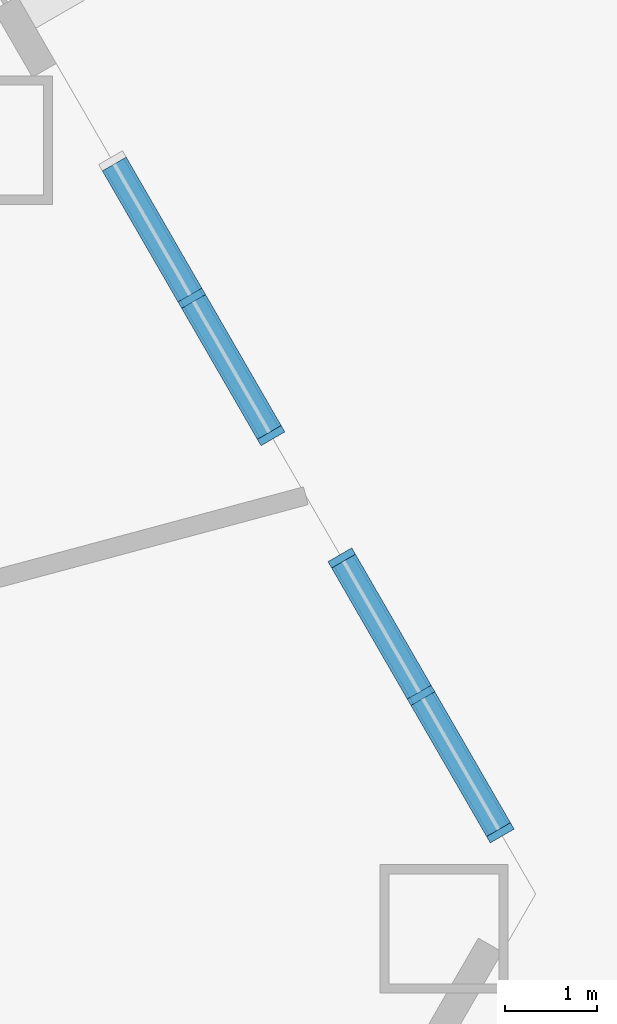
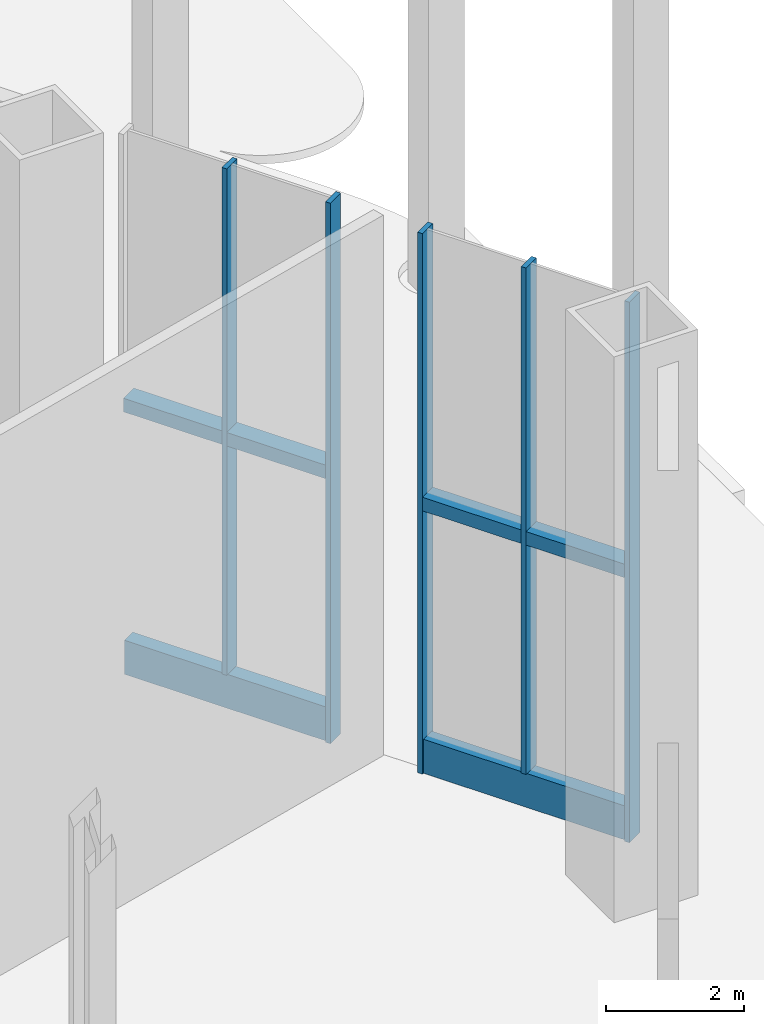
# One storey, part 5 of 18: 11 members, 2 elements without a shape of their own.
"""IFC4 building model written with IfcOpenShell, lengths in metres."""

from ifc_helpers import new_model, si_unit, direction, frame, origin, origin_2d, place, context, subcontext, project, spatial, rectangle, extrude, material, layer, layer_set, material_profile, profile_set, type_object, element, aggregate, save


model = new_model("IFC4")

# Units and contexts
model_context = context("Model", 3, precision=1e-05, world=origin(), true_north=direction((0.0, 1.0)))
body_context = subcontext(model_context, "Body", "Model", "MODEL_VIEW")
ifc_project = project(units=[si_unit("LENGTHUNIT", "METRE"), si_unit("AREAUNIT", "SQUARE_METRE"), si_unit("VOLUMEUNIT", "CUBIC_METRE"), si_unit("PLANEANGLEUNIT", "RADIAN"), si_unit("MASSUNIT", "GRAM", prefix="KILO")], contexts=[model_context])

# Site, building, storey
site_placement = place(None, origin())
site = spatial("IfcSite", under=ifc_project, at=site_placement, CompositionType="ELEMENT")
building_placement = place(site_placement, origin())
building = spatial("IfcBuilding", under=site, at=building_placement, Name="Cormorant Prow Tower", CompositionType="ELEMENT")
storey_placement = place(building_placement, origin())
storey = spatial("IfcBuildingStorey", under=building, at=storey_placement, Name="L00", CompositionType="ELEMENT", Elevation=0.0)

# Curtain wall, members
ifc_material_1 = material(Name="Aluminium 6063-T6", Category="aluminium")
ifc_layer = layer(ifc_material_1, 0.300048828125)
ifc_layer_set = layer_set([ifc_layer], Name="Aluminium 6063-T6")
curtain_wall_type = type_object("IfcCurtainWallType", Name="Concourse unitised curtain wall 300", PredefinedType="NOTDEFINED", material=ifc_layer_set)
curtain_wall_1_placement = place(storey_placement, origin())
curtain_wall_1 = element("IfcCurtainWall", 1, at=curtain_wall_1_placement, inside=storey, type_object=curtain_wall_type, Name="Concourse curtain wall ENE00", PredefinedType="NOTDEFINED")
ifc_material_2 = material(Name="Aluminium 6063-T6", Category="aluminium")
ifc_material_profile_1 = material_profile(ifc_material_2, rectangle(XDim=0.300048828125, YDim=0.239990234375, at=origin_2d()), Name="Concourse intermediate transom 300x240")
ifc_profile_set_1 = profile_set([ifc_material_profile_1], Name="Aluminium 6063-T6")
member_type_1 = type_object("IfcMemberType", Name="Concourse intermediate transom 300x240", PredefinedType="USERDEFINED", material=ifc_profile_set_1)
member_1_placement = place(storey_placement, frame((31.594970703125, -9.69091796875, 4.77490234375), z_axis=(-0.499974350878, 0.866040211805, 0.0), x_axis=(-0.866040211805, -0.499974350878, 0.0)))
member_1 = element("IfcMember", 2, at=member_1_placement, type_object=member_type_1, Name="Concourse intermediate transom ENE00", ObjectType="TRANSOM", PredefinedType="USERDEFINED", context=body_context, shape_type="SweptSolid", body=[
    extrude(rectangle(XDim=0.300048828125, YDim=0.239990234375, at=origin_2d()), origin(), (0.0, 0.0, 1.0), 1.64990234375),
])
member_2_placement = place(storey_placement, frame((30.72998046875, -8.192626953125, 4.77490234375), z_axis=(-0.499974350878, 0.866040211805, 0.0), x_axis=(-0.866040211805, -0.499974350878, 0.0)))
member_2 = element("IfcMember", 3, at=member_2_placement, type_object=member_type_1, Name="Concourse intermediate transom ENE00", ObjectType="TRANSOM", PredefinedType="USERDEFINED", context=body_context, shape_type="SweptSolid", body=[
    extrude(rectangle(XDim=0.300048828125, YDim=0.239990234375, at=origin_2d()), origin(), (0.0, 0.0, 1.0), 1.64990234375),
])

curtain_wall_2_placement = place(storey_placement, origin())
curtain_wall_2 = element("IfcCurtainWall", 4, at=curtain_wall_2_placement, inside=storey, type_object=curtain_wall_type, Name="Concourse curtain wall ENE01", PredefinedType="NOTDEFINED")
member_3_placement = place(storey_placement, frame((29.094970703125, -5.360595703125, 4.77490234375), z_axis=(-0.499974350878, 0.866040211805, 0.0), x_axis=(-0.866040211805, -0.499974350878, 0.0)))
member_3 = element("IfcMember", 5, at=member_3_placement, type_object=member_type_1, Name="Concourse intermediate transom ENE01", ObjectType="TRANSOM", PredefinedType="USERDEFINED", context=body_context, shape_type="SweptSolid", body=[
    extrude(rectangle(XDim=0.300048828125, YDim=0.239990234375, at=origin_2d()), origin(), (0.0, 0.0, 1.0), 1.64990234375),
])
member_4_placement = place(storey_placement, frame((28.22998046875, -3.862548828125, 4.77490234375), z_axis=(-0.499974350878, 0.866040211805, 0.0), x_axis=(-0.866040211805, -0.499974350878, 0.0)))
member_4 = element("IfcMember", 6, at=member_4_placement, type_object=member_type_1, Name="Concourse intermediate transom ENE01", ObjectType="TRANSOM", PredefinedType="USERDEFINED", context=body_context, shape_type="SweptSolid", body=[
    extrude(rectangle(XDim=0.300048828125, YDim=0.239990234375, at=origin_2d()), origin(), (0.0, 0.0, 1.0), 1.64990234375),
])

# Member
ifc_material_3 = material(Name="Aluminium 6063-T6", Category="aluminium")
ifc_material_profile_2 = material_profile(ifc_material_3, rectangle(XDim=0.300048828125, YDim=0.080078125, at=origin_2d()), Name="Concourse mullion 80x300")
ifc_profile_set_2 = profile_set([ifc_material_profile_2], Name="Aluminium 6063-T6")
member_type_2 = type_object("IfcMemberType", Name="Concourse mullion 80x300", PredefinedType="MULLION", material=ifc_profile_set_2)
member_5_placement = place(storey_placement, frame((31.614990234375, -9.7255859375, 0.0), z_axis=(0.0, 0.0, 1.0), x_axis=(-0.866025402842, -0.500000001632, 0.0)))
member_5 = element("IfcMember", 7, at=member_5_placement, type_object=member_type_2, Name="Concourse mullion ENE00", PredefinedType="MULLION", context=body_context, shape_type="SweptSolid", body=[
    extrude(rectangle(XDim=0.300048828125, YDim=0.080078125, at=origin_2d()), origin(), (0.0, 0.0, 1.0), 9.550048828125),
])

member_6_placement = place(storey_placement, frame((30.75, -8.227294921875, 0.60009765625), z_axis=(0.0, 0.0, 1.0), x_axis=(-0.866025402842, -0.500000001632, 0.0)))
member_6 = element("IfcMember", 8, at=member_6_placement, type_object=member_type_2, Name="Concourse mullion ENE00", PredefinedType="MULLION", context=body_context, shape_type="SweptSolid", body=[
    extrude(rectangle(XDim=0.300048828125, YDim=0.080078125, at=origin_2d()), origin(), (0.0, 0.0, 1.0), 8.949951171875),
])

member_7_placement = place(storey_placement, frame((29.885009765625, -6.72900390625, 0.0), z_axis=(0.0, 0.0, 1.0), x_axis=(-0.866025402842, -0.500000001632, 0.0)))
member_7 = element("IfcMember", 9, at=member_7_placement, type_object=member_type_2, Name="Concourse mullion ENE00", PredefinedType="MULLION", context=body_context, shape_type="SweptSolid", body=[
    extrude(rectangle(XDim=0.300048828125, YDim=0.080078125, at=origin_2d()), origin(), (0.0, 0.0, 1.0), 9.550048828125),
])

member_8_placement = place(storey_placement, frame((29.114990234375, -5.395263671875, 0.0), z_axis=(0.0, 0.0, 1.0), x_axis=(-0.866025402842, -0.500000001632, 0.0)))
member_8 = element("IfcMember", 10, at=member_8_placement, type_object=member_type_2, Name="Concourse mullion ENE01", PredefinedType="MULLION", context=body_context, shape_type="SweptSolid", body=[
    extrude(rectangle(XDim=0.300048828125, YDim=0.080078125, at=origin_2d()), origin(), (0.0, 0.0, 1.0), 9.550048828125),
])

member_9_placement = place(storey_placement, frame((28.25, -3.897216796875, 0.60009765625), z_axis=(0.0, 0.0, 1.0), x_axis=(-0.866025402842, -0.500000001632, 0.0)))
member_9 = element("IfcMember", 11, at=member_9_placement, type_object=member_type_2, Name="Concourse mullion ENE01", PredefinedType="MULLION", context=body_context, shape_type="SweptSolid", body=[
    extrude(rectangle(XDim=0.300048828125, YDim=0.080078125, at=origin_2d()), origin(), (0.0, 0.0, 1.0), 8.949951171875),
])

ifc_material_4 = material(Name="Terracotta", Category="masonry")
ifc_material_profile_3 = material_profile(ifc_material_4, rectangle(XDim=0.239990234375, YDim=0.60009765625, at=origin_2d()), Name="Concourse terracotta spandrel rail 240x600")
ifc_profile_set_3 = profile_set([ifc_material_profile_3], Name="Terracotta")
member_type_3 = type_object("IfcMemberType", Name="Concourse terracotta spandrel rail 240x600", PredefinedType="USERDEFINED", material=ifc_profile_set_3)
member_10_placement = place(storey_placement, frame((31.594970703125, -9.69091796875, 0.300048828125), z_axis=(-0.499976720371, 0.866038843867, 0.0), x_axis=(-0.866038843867, -0.499976720371, 0.0)))
member_10 = element("IfcMember", 12, at=member_10_placement, type_object=member_type_3, Name="Concourse spandrel rail ENE00", ObjectType="TRANSOM", PredefinedType="USERDEFINED", context=body_context, shape_type="SweptSolid", body=[
    extrude(rectangle(XDim=0.239990234375, YDim=0.60009765625, at=origin_2d()), origin(), (0.0, 0.0, 1.0), 3.380126953125),
])

aggregate(curtain_wall_1, [member_5, member_6, member_7, member_10, member_1, member_2])

member_11_placement = place(storey_placement, frame((29.094970703125, -5.360595703125, 0.300048828125), z_axis=(-0.500007997579, 0.866020786331, 0.0), x_axis=(-0.866020786331, -0.500007997579, 0.0)))
member_11 = element("IfcMember", 13, at=member_11_placement, type_object=member_type_3, Name="Concourse spandrel rail ENE01", ObjectType="TRANSOM", PredefinedType="USERDEFINED", context=body_context, shape_type="SweptSolid", body=[
    extrude(rectangle(XDim=0.239990234375, YDim=0.60009765625, at=origin_2d()), origin(), (0.0, 0.0, 1.0), 3.3798828125),
])

aggregate(curtain_wall_2, [member_8, member_9, member_11, member_3, member_4])

save(model, "model.ifc")
